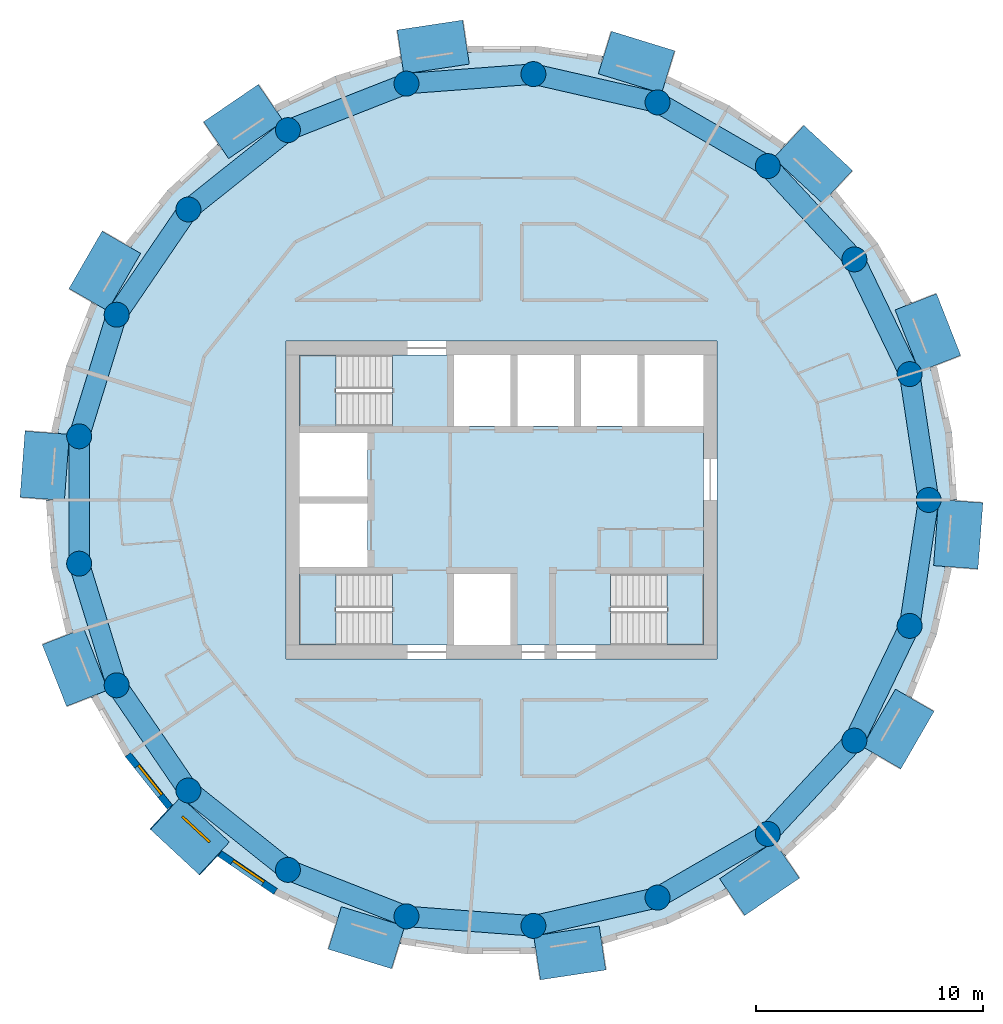
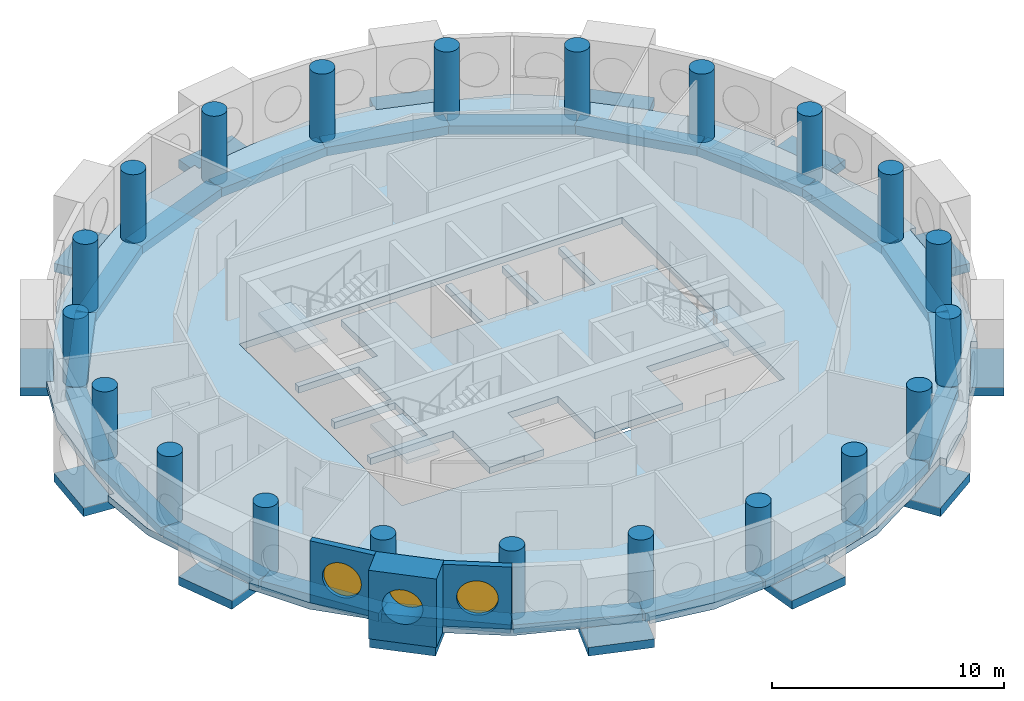
# One storey, part 1 of 12: 35 beams, 21 columns, 5 slabs, 3 walls, 3 windows, 3 openings, 3 elements without a shape of their own.
"""IFC4 building model written with IfcOpenShell, lengths in metres."""

from ifc_helpers import new_model, si_unit, direction, frame, frame_2d, origin, origin_2d, place, context, subcontext, project, spatial, polyline, rectangle, circle, outline, extrude, material, layer, layer_set, material_profile, profile_set, type_object, element, fill, aggregate, save


model = new_model("IFC4")

# Units and contexts
model_context = context("Model", 3, precision=1e-05, world=origin(), true_north=direction((0.0, 1.0)))
body_context = subcontext(model_context, "Body", "Model", "MODEL_VIEW")
ifc_project = project(units=[si_unit("LENGTHUNIT", "METRE"), si_unit("AREAUNIT", "SQUARE_METRE"), si_unit("VOLUMEUNIT", "CUBIC_METRE"), si_unit("PLANEANGLEUNIT", "RADIAN"), si_unit("MASSUNIT", "GRAM", prefix="KILO")], contexts=[model_context])

# Site, building, storey
site_placement = place(None, origin())
site = spatial("IfcSite", under=ifc_project, at=site_placement, CompositionType="ELEMENT")
building_placement = place(site_placement, origin())
building = spatial("IfcBuilding", under=site, at=building_placement, Name="Tracery Tower", CompositionType="ELEMENT")
storey_placement = place(building_placement, frame((0.0, 0.0, 234.60009765625)))
storey = spatial("IfcBuildingStorey", under=building, at=storey_placement, Name="L60", CompositionType="ELEMENT", Elevation=234.60009765625)

# Columns
ifc_material_1 = material(Name="Concrete C40/50", Category="concrete")
ifc_material_profile_1 = material_profile(ifc_material_1, circle(Radius=0.550048828125, at=origin_2d()), Name="RC D1100")
ifc_profile_set_1 = profile_set([ifc_material_profile_1], Name="Concrete C40/50")
column_type = type_object("IfcColumnType", Name="Ring 2 column 1100", PredefinedType="COLUMN", material=ifc_profile_set_1)
for number, where, z_axis, x_axis, name in (
    (1, (18.822265625, 0.0, 0.0), (0.0, 0.0, 1.0), (1.0, 0.0, 0.0), "Ring 2 column 00 at L60"),
    (2, (17.986083984375, 5.5478515625, 0.0), (0.0, 0.0, 1.0), (1.0, 0.0, 0.0), "Ring 2 column 01 at L60"),
    (3, (15.551513671875, 10.602783203125, 0.0), (0.0, 0.0, 1.0), (1.0, 0.0, 0.0), "Ring 2 column 02 at L60"),
    (4, (11.7353515625, 14.7158203125, 0.0), (0.0, 0.0, 1.0), (1.0, 0.0, 0.0), "Ring 2 column 03 at L60"),
    (5, (6.87646484375, 17.52099609375, 0.0), (0.0, 0.0, 1.0), (1.0, 0.0, 0.0), "Ring 2 column 04 at L60"),
    (6, (1.406494140625, 18.76953125, 0.0), (0.0, 0.0, 1.0), (1.0, 0.0, 0.0), "Ring 2 column 05 at L60"),
    (7, (-4.188232421875, 18.350341796875, 0.0), (0.0, 0.0, 1.0), (1.0, 0.0, 0.0), "Ring 2 column 06 at L60"),
    (8, (-9.4111328125, 16.300537109375, 0.0), (0.0, 0.0, 1.0), (1.0, 0.0, 0.0), "Ring 2 column 07 at L60"),
    (9, (-13.797607421875, 12.802490234375, 0.0), (0.0, 0.0, 1.0), (1.0, 0.0, 0.0), "Ring 2 column 08 at L60"),
    (10, (-16.958251953125, 8.16650390625, 0.0), (0.0, 0.0, 1.0), (1.0, 0.0, 0.0), "Ring 2 column 09 at L60"),
    (11, (-18.612060546875, 2.805419921875, 0.0), (0.0, 0.0, 1.0), (1.0, 0.0, 0.0), "Ring 2 column 10 at L60"),
    (12, (-18.612060546875, -2.805419921875, 0.0), (0.0, 0.0, 1.0), (1.0, 0.0, 0.0), "Ring 2 column 11 at L60"),
    (13, (-16.958251953125, -8.166748046875, 0.0), (0.0, 0.0, 1.0), (1.0, 0.0, 0.0), "Ring 2 column 12 at L60"),
    (14, (-13.797607421875, -12.80224609375, 0.0), (0.0, 0.0, 1.0), (1.0, 0.0, 0.0), "Ring 2 column 13 at L60"),
    (15, (-9.4111328125, -16.300537109375, 0.0), (0.0, 0.0, 1.0), (1.0, 0.0, 0.0), "Ring 2 column 14 at L60"),
    (16, (-4.188232421875, -18.350341796875, 0.0), (0.0, 0.0, 1.0), (1.0, 0.0, 0.0), "Ring 2 column 15 at L60"),
    (17, (1.406494140625, -18.76953125, 0.0), (0.0, 0.0, 1.0), (1.0, 0.0, 0.0), "Ring 2 column 16 at L60"),
    (18, (6.87646484375, -17.52099609375, 0.0), (0.0, 0.0, 1.0), (1.0, 0.0, 0.0), "Ring 2 column 17 at L60"),
    (19, (11.7353515625, -14.7158203125, 0.0), (0.0, 0.0, 1.0), (1.0, 0.0, 0.0), "Ring 2 column 18 at L60"),
    (20, (15.551513671875, -10.602783203125, 0.0), (0.0, 0.0, 1.0), (1.0, 0.0, 0.0), "Ring 2 column 19 at L60"),
    (21, (17.986083984375, -5.5478515625, 0.0), (0.0, 0.0, 1.0), (1.0, 0.0, 0.0), "Ring 2 column 20 at L60"),
):
    element("IfcColumn", number, at=place(storey_placement, frame(where, z_axis=z_axis, x_axis=x_axis)), inside=storey, type_object=column_type, Name=name, PredefinedType="COLUMN", context=body_context, shape_type="SweptSolid", body=[
        extrude(circle(Radius=0.550048828125, at=origin_2d()), origin(), (0.0, 0.0, 1.0), 3.599853515625),
    ])

# Beams
ifc_material_2 = material(Name="Concrete C40/50", Category="concrete")
ifc_material_profile_2 = material_profile(ifc_material_2, rectangle(XDim=1.9599609375, YDim=0.449951171875, at=origin_2d()), Name="RC 1960x450")
ifc_profile_set_2 = profile_set([ifc_material_profile_2], Name="Concrete C40/50")
beam_type_1 = type_object("IfcBeamType", Name="Bay seat beam 1960 x 450", PredefinedType="BEAM", material=ifc_profile_set_2)
for number, where, z_axis, x_axis, name in (
    (22, (19.323974609375, 6.015625, -0.5751953125), (-0.365285021376, 0.930895726254, 0.0), (-0.930895726254, -0.365285021376, 0.0), "Bay seat beam 3 at L60"),
    (23, (14.80029296875, 13.804443359375, -0.5751953125), (-0.733073344016, 0.680149595526, 0.0), (-0.680149595526, -0.733073344016, 0.0), "Bay seat beam 6 at L60"),
):
    element("IfcBeam", number, at=place(storey_placement, frame(where, z_axis=z_axis, x_axis=x_axis)), inside=storey, type_object=beam_type_1, Name=name, PredefinedType="BEAM", context=body_context, shape_type="SweptSolid", body=[
        extrude(rectangle(XDim=1.9599609375, YDim=0.449951171875, at=origin_2d()), origin(), (0.0, 0.0, 1.0), 2.920166015625),
    ])
for number, where, z_axis, x_axis, name in (
    (24, (7.344970703125, 18.85888671875, -0.5751953125), (-0.955550927928, 0.294826091343, 0.0), (-0.294826091343, -0.955550927928, 0.0), "Bay seat beam 9 at L60"),
    (25, (-1.56494140625, 20.17822265625, -0.5751953125), (-0.988824450672, -0.149084559069, 0.0), (0.149084559069, -0.988824450672, 0.0), "Bay seat beam 12 at L60"),
):
    element("IfcBeam", number, at=place(storey_placement, frame(where, z_axis=z_axis, x_axis=x_axis)), inside=storey, type_object=beam_type_1, Name=name, PredefinedType="BEAM", context=body_context, shape_type="SweptSolid", body=[
        extrude(rectangle(XDim=1.9599609375, YDim=0.449951171875, at=origin_2d()), origin(), (0.0, 0.0, 1.0), 2.919921875),
    ])
beam_1_placement = place(storey_placement, frame((-10.164794921875, 17.5009765625, -0.5751953125), z_axis=(-0.826243261144, -0.56331347704, 0.0), x_axis=(0.56331347704, -0.826243261144, 0.0)))
element("IfcBeam", 26, at=beam_1_placement, inside=storey, type_object=beam_type_1, Name="Bay seat beam 15 at L60", PredefinedType="BEAM", context=body_context, shape_type="SweptSolid", body=[
    extrude(rectangle(XDim=1.9599609375, YDim=0.449951171875, at=origin_2d()), origin(), (0.0, 0.0, 1.0), 2.920166015625),
])
for number, where, z_axis, x_axis, name in (
    (27, (-16.751708984375, 11.357421875, -0.5751953125), (-0.49998782916, -0.866032430508, 0.0), (0.866032430508, -0.49998782916, 0.0), "Bay seat beam 18 at L60"),
    (28, (-20.0205078125, 2.96435546875, -0.5751953125), (-0.074746299058, -0.997202582617, 0.0), (0.997202582617, -0.074746299058, 0.0), "Bay seat beam 21 at L60"),
):
    element("IfcBeam", number, at=place(storey_placement, frame(where, z_axis=z_axis, x_axis=x_axis)), inside=storey, type_object=beam_type_1, Name=name, PredefinedType="BEAM", context=body_context, shape_type="SweptSolid", body=[
        extrude(rectangle(XDim=1.9599609375, YDim=0.449951171875, at=origin_2d()), origin(), (0.0, 0.0, 1.0), 2.919921875),
    ])
for number, where, z_axis, x_axis, name in (
    (29, (-19.323974609375, -6.015625, -0.5751953125), (0.365285021376, -0.930895726254, 0.0), (0.930895726254, 0.365285021376, 0.0), "Bay seat beam 24 at L60"),
    (30, (-14.80029296875, -13.804443359375, -0.5751953125), (0.733073344016, -0.680149595526, 0.0), (0.680149595526, 0.733073344016, 0.0), "Bay seat beam 27 at L60"),
):
    element("IfcBeam", number, at=place(storey_placement, frame(where, z_axis=z_axis, x_axis=x_axis)), inside=storey, type_object=beam_type_1, Name=name, PredefinedType="BEAM", context=body_context, shape_type="SweptSolid", body=[
        extrude(rectangle(XDim=1.9599609375, YDim=0.449951171875, at=origin_2d()), origin(), (0.0, 0.0, 1.0), 2.920166015625),
    ])
for number, where, z_axis, x_axis, name in (
    (31, (-7.344970703125, -18.85888671875, -0.5751953125), (0.955550927928, -0.294826091343, 0.0), (0.294826091343, 0.955550927928, 0.0), "Bay seat beam 30 at L60"),
    (32, (1.56494140625, -20.17822265625, -0.5751953125), (0.988824450672, 0.149084559069, 0.0), (-0.149084559069, 0.988824450672, 0.0), "Bay seat beam 33 at L60"),
):
    element("IfcBeam", number, at=place(storey_placement, frame(where, z_axis=z_axis, x_axis=x_axis)), inside=storey, type_object=beam_type_1, Name=name, PredefinedType="BEAM", context=body_context, shape_type="SweptSolid", body=[
        extrude(rectangle(XDim=1.9599609375, YDim=0.449951171875, at=origin_2d()), origin(), (0.0, 0.0, 1.0), 2.919921875),
    ])
beam_2_placement = place(storey_placement, frame((10.164794921875, -17.5009765625, -0.5751953125), z_axis=(0.826243261144, 0.56331347704, 0.0), x_axis=(-0.56331347704, 0.826243261144, 0.0)))
element("IfcBeam", 33, at=beam_2_placement, inside=storey, type_object=beam_type_1, Name="Bay seat beam 36 at L60", PredefinedType="BEAM", context=body_context, shape_type="SweptSolid", body=[
    extrude(rectangle(XDim=1.9599609375, YDim=0.449951171875, at=origin_2d()), origin(), (0.0, 0.0, 1.0), 2.920166015625),
])
for number, where, z_axis, x_axis, name in (
    (34, (16.751708984375, -11.357421875, -0.5751953125), (0.49998782916, 0.866032430508, 0.0), (-0.866032430508, 0.49998782916, 0.0), "Bay seat beam 39 at L60"),
    (35, (20.0205078125, -2.96435546875, -0.5751953125), (0.074746299058, 0.997202582617, 0.0), (-0.997202582617, 0.074746299058, 0.0), "Bay seat beam 42 at L60"),
):
    element("IfcBeam", number, at=place(storey_placement, frame(where, z_axis=z_axis, x_axis=x_axis)), inside=storey, type_object=beam_type_1, Name=name, PredefinedType="BEAM", context=body_context, shape_type="SweptSolid", body=[
        extrude(rectangle(XDim=1.9599609375, YDim=0.449951171875, at=origin_2d()), origin(), (0.0, 0.0, 1.0), 2.919921875),
    ])
ifc_material_3 = material(Name="Concrete C40/50", Category="concrete")
ifc_material_profile_3 = material_profile(ifc_material_3, rectangle(XDim=0.89990234375, YDim=0.449951171875, at=origin_2d()), Name="RC 900x450")
ifc_profile_set_3 = profile_set([ifc_material_profile_3], Name="Concrete C40/50")
beam_type_2 = type_object("IfcBeamType", Name="Perimeter band beam 900x450", PredefinedType="BEAM", material=ifc_profile_set_3)
for number, where, z_axis, x_axis, name in (
    (36, (18.822265625, 0.0, -0.5751953125), (-0.149038355855, 0.988831415603, 0.0), (-0.988831415603, -0.149038355855, 0.0), "Perimeter beam 2.00 under L60"),
    (37, (17.986083984375, 5.5478515625, -0.5751953125), (-0.433918973155, 0.900951899235, 0.0), (-0.900951899235, -0.433918973155, 0.0), "Perimeter beam 2.01 under L60"),
):
    element("IfcBeam", number, at=place(storey_placement, frame(where, z_axis=z_axis, x_axis=x_axis)), inside=storey, type_object=beam_type_2, Name=name, PredefinedType="BEAM", context=body_context, shape_type="SweptSolid", body=[
        extrude(rectangle(XDim=0.89990234375, YDim=0.449951171875, at=origin_2d()), origin(), (0.0, 0.0, 1.0), 5.610595703125),
    ])
beam_3_placement = place(storey_placement, frame((15.551513671875, 10.602783203125, -0.5751953125), z_axis=(-0.680155630824, 0.733067744386, 0.0), x_axis=(-0.733067744386, -0.680155630824, 0.0)))
element("IfcBeam", 38, at=beam_3_placement, inside=storey, type_object=beam_type_2, Name="Perimeter beam 2.02 under L60", PredefinedType="BEAM", context=body_context, shape_type="SweptSolid", body=[
    extrude(rectangle(XDim=0.89990234375, YDim=0.449951171875, at=origin_2d()), origin(), (0.0, 0.0, 1.0), 5.61083984375),
])
for number, where, z_axis, x_axis, name in (
    (39, (11.7353515625, 14.7158203125, -0.5751953125), (-0.866033412818, 0.49998612769, 0.0), (-0.49998612769, -0.866033412818, 0.0), "Perimeter beam 2.03 under L60"),
    (40, (6.87646484375, 17.52099609375, -0.5751953125), (-0.974925977366, 0.222529410768, 0.0), (-0.222529410768, -0.974925977366, 0.0), "Perimeter beam 2.04 under L60"),
):
    element("IfcBeam", number, at=place(storey_placement, frame(where, z_axis=z_axis, x_axis=x_axis)), inside=storey, type_object=beam_type_2, Name=name, PredefinedType="BEAM", context=body_context, shape_type="SweptSolid", body=[
        extrude(rectangle(XDim=0.89990234375, YDim=0.449951171875, at=origin_2d()), origin(), (0.0, 0.0, 1.0), 5.610595703125),
    ])
beam_4_placement = place(storey_placement, frame((1.406494140625, 18.76953125, -0.5751953125), z_axis=(-0.997204824387, -0.07471638521, 0.0), x_axis=(0.07471638521, -0.997204824387, 0.0)))
element("IfcBeam", 41, at=beam_4_placement, inside=storey, type_object=beam_type_2, Name="Perimeter beam 2.05 under L60", PredefinedType="BEAM", context=body_context, shape_type="SweptSolid", body=[
    extrude(rectangle(XDim=0.89990234375, YDim=0.449951171875, at=origin_2d()), origin(), (0.0, 0.0, 1.0), 5.6103515625),
])
beam_5_placement = place(storey_placement, frame((-4.188232421875, 18.350341796875, -0.5751953125), z_axis=(-0.930875728468, -0.365335979817, 0.0), x_axis=(0.365335979817, -0.930875728468, 0.0)))
element("IfcBeam", 42, at=beam_5_placement, inside=storey, type_object=beam_type_2, Name="Perimeter beam 2.06 under L60", PredefinedType="BEAM", context=body_context, shape_type="SweptSolid", body=[
    extrude(rectangle(XDim=0.89990234375, YDim=0.449951171875, at=origin_2d()), origin(), (0.0, 0.0, 1.0), 5.61083984375),
])
beam_6_placement = place(storey_placement, frame((-9.4111328125, 16.300537109375, -0.5751953125), z_axis=(-0.781835817725, -0.623484365579, 0.0), x_axis=(0.623484365579, -0.781835817725, 0.0)))
element("IfcBeam", 43, at=beam_6_placement, inside=storey, type_object=beam_type_2, Name="Perimeter beam 2.07 under L60", PredefinedType="BEAM", context=body_context, shape_type="SweptSolid", body=[
    extrude(rectangle(XDim=0.89990234375, YDim=0.449951171875, at=origin_2d()), origin(), (0.0, 0.0, 1.0), 5.610595703125),
])
beam_7_placement = place(storey_placement, frame((-13.797607421875, 12.802490234375, -0.5751953125), z_axis=(-0.563305770578, -0.826248515178, 0.0), x_axis=(0.826248515178, -0.563305770578, 0.0)))
element("IfcBeam", 44, at=beam_7_placement, inside=storey, type_object=beam_type_2, Name="Perimeter beam 2.08 under L60", PredefinedType="BEAM", context=body_context, shape_type="SweptSolid", body=[
    extrude(rectangle(XDim=0.89990234375, YDim=0.449951171875, at=origin_2d()), origin(), (0.0, 0.0, 1.0), 5.61083984375),
])
beam_8_placement = place(storey_placement, frame((-16.958251953125, 8.16650390625, -0.5751953125), z_axis=(-0.294776851839, -0.955566118916, 0.0), x_axis=(0.955566118916, -0.294776851839, 0.0)))
element("IfcBeam", 45, at=beam_8_placement, inside=storey, type_object=beam_type_2, Name="Perimeter beam 2.09 under L60", PredefinedType="BEAM", context=body_context, shape_type="SweptSolid", body=[
    extrude(rectangle(XDim=0.89990234375, YDim=0.449951171875, at=origin_2d()), origin(), (0.0, 0.0, 1.0), 5.6103515625),
])
beam_9_placement = place(storey_placement, frame((-18.612060546875, 2.805419921875, -0.5751953125), z_axis=(0.0, -1.0, 0.0), x_axis=(1.0, 0.0, 0.0)))
element("IfcBeam", 46, at=beam_9_placement, inside=storey, type_object=beam_type_2, Name="Perimeter beam 2.10 under L60", PredefinedType="BEAM", context=body_context, shape_type="SweptSolid", body=[
    extrude(rectangle(XDim=0.89990234375, YDim=0.449951171875, at=origin_2d()), origin(), (0.0, 0.0, 1.0), 5.61083984375),
])
for number, where, z_axis, x_axis, name in (
    (47, (-18.612060546875, -2.805419921875, -0.5751953125), (0.294764594813, -0.955569899926, 0.0), (0.955569899926, 0.294764594813, 0.0), "Perimeter beam 2.11 under L60"),
    (48, (-16.958251953125, -8.166748046875, -0.5751953125), (0.5633462764, -0.826220898348, 0.0), (0.826220898348, 0.5633462764, 0.0), "Perimeter beam 2.12 under L60"),
    (49, (-13.797607421875, -12.80224609375, -0.5751953125), (0.781814605872, -0.623510963853, 0.0), (0.623510963853, 0.781814605872, 0.0), "Perimeter beam 2.13 under L60"),
):
    element("IfcBeam", number, at=place(storey_placement, frame(where, z_axis=z_axis, x_axis=x_axis)), inside=storey, type_object=beam_type_2, Name=name, PredefinedType="BEAM", context=body_context, shape_type="SweptSolid", body=[
        extrude(rectangle(XDim=0.89990234375, YDim=0.449951171875, at=origin_2d()), origin(), (0.0, 0.0, 1.0), 5.610595703125),
    ])
beam_10_placement = place(storey_placement, frame((-9.4111328125, -16.300537109375, -0.5751953125), z_axis=(0.930875728468, -0.365335979817, 0.0), x_axis=(0.365335979817, 0.930875728468, 0.0)))
element("IfcBeam", 50, at=beam_10_placement, inside=storey, type_object=beam_type_2, Name="Perimeter beam 2.14 under L60", PredefinedType="BEAM", context=body_context, shape_type="SweptSolid", body=[
    extrude(rectangle(XDim=0.89990234375, YDim=0.449951171875, at=origin_2d()), origin(), (0.0, 0.0, 1.0), 5.61083984375),
])
beam_11_placement = place(storey_placement, frame((-4.188232421875, -18.350341796875, -0.5751953125), z_axis=(0.997204824387, -0.07471638521, 0.0), x_axis=(0.07471638521, 0.997204824387, 0.0)))
element("IfcBeam", 51, at=beam_11_placement, inside=storey, type_object=beam_type_2, Name="Perimeter beam 2.15 under L60", PredefinedType="BEAM", context=body_context, shape_type="SweptSolid", body=[
    extrude(rectangle(XDim=0.89990234375, YDim=0.449951171875, at=origin_2d()), origin(), (0.0, 0.0, 1.0), 5.6103515625),
])
for number, where, z_axis, x_axis, name in (
    (52, (1.406494140625, -18.76953125, -0.5751953125), (0.974925977366, 0.222529410768, 0.0), (-0.222529410768, 0.974925977366, 0.0), "Perimeter beam 2.16 under L60"),
    (53, (6.87646484375, -17.52099609375, -0.5751953125), (0.866033412818, 0.49998612769, 0.0), (-0.49998612769, 0.866033412818, 0.0), "Perimeter beam 2.17 under L60"),
):
    element("IfcBeam", number, at=place(storey_placement, frame(where, z_axis=z_axis, x_axis=x_axis)), inside=storey, type_object=beam_type_2, Name=name, PredefinedType="BEAM", context=body_context, shape_type="SweptSolid", body=[
        extrude(rectangle(XDim=0.89990234375, YDim=0.449951171875, at=origin_2d()), origin(), (0.0, 0.0, 1.0), 5.610595703125),
    ])
beam_12_placement = place(storey_placement, frame((11.7353515625, -14.7158203125, -0.5751953125), z_axis=(0.680155630824, 0.733067744386, 0.0), x_axis=(-0.733067744386, 0.680155630824, 0.0)))
element("IfcBeam", 54, at=beam_12_placement, inside=storey, type_object=beam_type_2, Name="Perimeter beam 2.18 under L60", PredefinedType="BEAM", context=body_context, shape_type="SweptSolid", body=[
    extrude(rectangle(XDim=0.89990234375, YDim=0.449951171875, at=origin_2d()), origin(), (0.0, 0.0, 1.0), 5.61083984375),
])
for number, where, z_axis, x_axis, name in (
    (55, (15.551513671875, -10.602783203125, -0.5751953125), (0.433918973155, 0.900951899235, 0.0), (-0.900951899235, 0.433918973155, 0.0), "Perimeter beam 2.19 under L60"),
    (56, (17.986083984375, -5.5478515625, -0.5751953125), (0.149038355855, 0.988831415603, 0.0), (-0.988831415603, 0.149038355855, 0.0), "Perimeter beam 2.20 under L60"),
):
    element("IfcBeam", number, at=place(storey_placement, frame(where, z_axis=z_axis, x_axis=x_axis)), inside=storey, type_object=beam_type_2, Name=name, PredefinedType="BEAM", context=body_context, shape_type="SweptSolid", body=[
        extrude(rectangle(XDim=0.89990234375, YDim=0.449951171875, at=origin_2d()), origin(), (0.0, 0.0, 1.0), 5.610595703125),
    ])

# Slabs
ifc_material_4 = material(Name="Concrete C40/50", Category="concrete")
ifc_layer_1 = layer(ifc_material_4, 0.35009765625)
ifc_layer_set_1 = layer_set([ifc_layer_1], Name="Core floor slab 350 C40")
slab_type_1 = type_object("IfcSlabType", Name="Core floor slab 350 C40", PredefinedType="FLOOR", material=ifc_layer_set_1)
slab_1_placement = place(storey_placement, frame((0.0, 0.0, -0.35009765625)))
element("IfcSlab", 57, at=slab_1_placement, inside=storey, type_object=slab_type_1, Name="L60 core floor 1", PredefinedType="FLOOR", context=body_context, shape_type="SweptSolid", body=[
    extrude(outline(polyline([(-4.800537109375, -3.25), (-8.89990234375, -3.25), (-8.89990234375, -2.949951171875), (-5.89990234375, -2.949951171875), (-5.89990234375, -0.14990234375), (-8.89990234375, -0.14990234375), (-8.89990234375, 0.14990234375), (-5.89990234375, 0.14990234375), (-5.89990234375, 2.949951171875), (-8.89990234375, 2.949951171875), (-8.89990234375, 3.25), (-4.800537109375, 3.25), (-4.800537109375, 6.39990234375), (-2.10009765625, 6.39990234375), (-2.10009765625, 3.25), (0.39990234375, 3.25), (0.39990234375, 6.39990234375), (0.699951171875, 6.39990234375), (0.699951171875, 3.25), (3.199951171875, 3.25), (3.199951171875, 6.39990234375), (3.5, 6.39990234375), (3.5, 3.25), (6.0, 3.25), (6.0, 6.39990234375), (6.300048828125, 6.39990234375), (6.300048828125, 3.25), (8.89990234375, 3.25), (8.89990234375, -3.25), (4.800537109375, -3.25), (4.800537109375, -6.39990234375), (0.39990234375, -6.39990234375), (0.39990234375, -3.25), (-2.10009765625, -3.25), (-2.10009765625, -6.39990234375), (-4.800537109375, -6.39990234375), (-4.800537109375, -3.25)])), origin(), (0.0, 0.0, 1.0), 0.35009765625),
])
ifc_material_5 = material(Name="Concrete C40/50", Category="concrete")
ifc_layer_2 = layer(ifc_material_5, 0.35009765625)
ifc_layer_set_2 = layer_set([ifc_layer_2], Name="Floor slab 350")
slab_type_2 = type_object("IfcSlabType", Name="Floor slab 350", PredefinedType="FLOOR", material=ifc_layer_set_2)
slab_2_placement = place(storey_placement, frame((0.0, 0.0, -0.35009765625)))
element("IfcSlab", 58, at=slab_2_placement, inside=storey, type_object=slab_type_2, Name="Floor slab L60", PredefinedType="FLOOR", context=body_context, shape_type="SweptSolid", body=[
    extrude(outline(polyline([(18.89306640625, 5.827392578125), (17.80517578125, 8.599365234375), (18.084228515625, 8.708984375), (18.08447265625, 8.708984375), (16.58447265625, 11.30712890625), (14.493408203125, 13.447998046875), (12.3271484375, 15.4580078125), (12.3271484375, 15.4580078125), (12.310791015625, 15.47314453125), (12.5146484375, 15.69287109375), (12.514892578125, 15.693115234375), (10.0361328125, 17.383056640625), (7.223388671875, 18.404541015625), (4.3994140625, 19.275634765625), (4.3994140625, 19.275634765625), (4.378173828125, 19.2822265625), (4.466552734375, 19.56884765625), (1.5, 20.01611328125), (-1.47705078125, 19.716064453125), (-2.3466796875, 19.585205078125), (-4.3994140625, 19.275634765625), (-4.3994140625, 19.275634765625), (-4.421875, 19.272216796875), (-4.46630859375, 19.568603515625), (-4.466552734375, 19.56884765625), (-7.333251953125, 18.684814453125), (-9.885498046875, 17.12255859375), (-12.345703125, 15.4453125), (-12.514892578125, 15.693115234375), (-14.714111328125, 13.652587890625), (-16.335693359375, 11.13818359375), (-17.82470703125, 8.55908203125), (-18.08447265625, 8.708984375), (-19.180419921875, 5.91650390625), (-19.550537109375, 2.94677734375), (-19.63720703125, 1.789306640625), (-19.77294921875, -0.0224609375), (-20.072265625, 0.0), (-20.072265625, 0.0), (-19.847900390625, -2.99169921875), (-18.89306640625, -5.827392578125), (-17.80517578125, -8.599365234375), (-18.084228515625, -8.708984375), (-18.08447265625, -8.708984375), (-16.58447265625, -11.30712890625), (-14.493408203125, -13.447998046875), (-12.3271484375, -15.4580078125), (-12.3271484375, -15.4580078125), (-12.310791015625, -15.47314453125), (-12.5146484375, -15.69287109375), (-12.514892578125, -15.693115234375), (-10.0361328125, -17.383056640625), (-7.223388671875, -18.404541015625), (-4.3994140625, -19.275634765625), (-4.3994140625, -19.275634765625), (-4.378173828125, -19.2822265625), (-4.466552734375, -19.56884765625), (-1.5, -20.01611328125), (1.47705078125, -19.716064453125), (2.3466796875, -19.585205078125), (4.3994140625, -19.275634765625), (4.3994140625, -19.275634765625), (4.421875, -19.272216796875), (4.46630859375, -19.568603515625), (4.466552734375, -19.56884765625), (7.333251953125, -18.684814453125), (9.885498046875, -17.12255859375), (12.345703125, -15.4453125), (12.514892578125, -15.693115234375), (14.714111328125, -13.652587890625), (16.335693359375, -11.13818359375), (17.82470703125, -8.55908203125), (18.08447265625, -8.708984375), (19.180419921875, -5.91650390625), (19.550537109375, -2.94677734375), (19.63720703125, -1.789306640625), (19.77294921875, 0.0224609375), (20.072265625, 0.0), (19.847900390625, 2.99169921875), (18.89306640625, 5.827392578125)]), holes=[polyline([(-9.5, -7.0), (9.5, -7.0), (9.5, 7.0), (-9.5, 7.0), (-9.5, -7.0)])]), origin(), (0.0, 0.0, 1.0), 0.35009765625),
])

# Stair, slab
ifc_material_6 = material(Name="Concrete C32/40", Category="concrete")
stair_type = type_object("IfcStairType", Name="Core stair 22 risers", PredefinedType="HALF_TURN_STAIR", material=ifc_material_6)
stair_1_placement = place(storey_placement, origin())
stair_1 = element("IfcStair", 59, at=stair_1_placement, inside=storey, type_object=stair_type, Name="L60 stair ST1", PredefinedType="HALF_TURN_STAIR")
ifc_material_7 = material(Name="Concrete C32/40", Category="concrete")
ifc_layer_3 = layer(ifc_material_7, 0.199951171875)
ifc_layer_set_3 = layer_set([ifc_layer_3], Name="Stair landing slab 200")
slab_type_3 = type_object("IfcSlabType", Name="Stair landing slab 200", PredefinedType="LANDING", material=ifc_layer_set_3)
slab_3_placement = place(storey_placement, frame((0.0, 0.0, 1.599853515625)))
slab_3 = element("IfcSlab", 60, at=slab_3_placement, type_object=slab_type_3, Name="ST1 landing 1", PredefinedType="LANDING", context=body_context, shape_type="SweptSolid", body=[
    extrude(outline(polyline([(-7.29931640625, -3.25), (-8.89990234375, -3.25), (-8.89990234375, -6.39990234375), (-7.29931640625, -6.39990234375), (-7.29931640625, -3.25)])), origin(), (0.0, 0.0, 1.0), 0.199951171875),
])
aggregate(stair_1, [slab_3])

stair_2_placement = place(storey_placement, origin())
stair_2 = element("IfcStair", 61, at=stair_2_placement, inside=storey, type_object=stair_type, Name="L60 stair ST3", PredefinedType="HALF_TURN_STAIR")
slab_4_placement = place(storey_placement, frame((0.0, 0.0, 1.599853515625)))
slab_4 = element("IfcSlab", 62, at=slab_4_placement, type_object=slab_type_3, Name="ST3 landing 1", PredefinedType="LANDING", context=body_context, shape_type="SweptSolid", body=[
    extrude(outline(polyline([(-7.29931640625, 6.39990234375), (-8.89990234375, 6.39990234375), (-8.89990234375, 3.25), (-7.29931640625, 3.25), (-7.29931640625, 6.39990234375)])), origin(), (0.0, 0.0, 1.0), 0.199951171875),
])
aggregate(stair_2, [slab_4])

stair_3_placement = place(storey_placement, origin())
stair_3 = element("IfcStair", 63, at=stair_3_placement, inside=storey, type_object=stair_type, Name="L60 stair ST2", PredefinedType="HALF_TURN_STAIR")
slab_5_placement = place(storey_placement, frame((0.0, 0.0, 1.599853515625)))
slab_5 = element("IfcSlab", 64, at=slab_5_placement, type_object=slab_type_3, Name="ST2 landing 1", PredefinedType="LANDING", context=body_context, shape_type="SweptSolid", body=[
    extrude(outline(polyline([(7.29931640625, -6.39990234375), (8.89990234375, -6.39990234375), (8.89990234375, -3.25), (7.29931640625, -3.25), (7.29931640625, -6.39990234375)])), origin(), (0.0, 0.0, 1.0), 0.199951171875),
])
aggregate(stair_3, [slab_5])

# Wall, opening, window
ifc_material_8 = material(Name="Precast concrete C50/60", Category="concrete")
ifc_layer_4 = layer(ifc_material_8, 1.449951171875)
ifc_layer_set_4 = layer_set([ifc_layer_4], Name="Deep-set bay unit 3000 x 3600, slab edge 350")
wall_type_1 = type_object("IfcWallType", Name="Deep-set bay unit 3000 x 3600, slab edge 350", PredefinedType="ELEMENTEDWALL", material=ifc_layer_set_4)
wall_1_placement = place(storey_placement, frame((-15.0029296875, -13.964111328125, -0.35009765625), z_axis=(0.0, 0.0, 1.0), x_axis=(0.733022439167, -0.680204457261, 0.0)))
wall_1 = element("IfcWall", 65, at=wall_1_placement, inside=storey, type_object=wall_type_1, Name="Deep-set bay unit 27 at L60", PredefinedType="ELEMENTEDWALL", context=body_context, shape_type="SweptSolid", body=[
    extrude(rectangle(XDim=2.999755859375, YDim=1.449951171875, at=frame_2d((1.5, 0.0))), origin(), (0.0, 0.0, 1.0), 3.60009765625),
])
opening_1_placement = place(wall_1_placement, frame((1.5, 0.0, 1.89990234375)))
opening_1 = element("IfcOpeningElement", 66, at=opening_1_placement, cuts=wall_1, Name="Opening WN1", PredefinedType="OPENING", context=body_context, shape_type="SweptSolid", body=[
    extrude(circle(Radius=0.9000244140625, at=origin_2d()), frame((0.0, 0.73486328125, 0.0), z_axis=(0.0, -1.0, 0.0), x_axis=(1.0, 0.0, 0.0)), (0.0, 0.0, 1.0), 1.469970703125),
])
ifc_material_9 = material(Name="Aluminium frame with tinted double glazing", Category="aluminium")
window_type = type_object("IfcWindowType", Name="Round window 1800", PartitioningType="SINGLE_PANEL", PredefinedType="WINDOW", material=ifc_material_9)
window_1_placement = place(opening_1_placement, origin())
window_1 = element("IfcWindow", 67, at=window_1_placement, inside=storey, type_object=window_type, Name="Round window 27 at L60", OverallHeight=1.800048828125, OverallWidth=1.800048828125, PartitioningType="SINGLE_PANEL", PredefinedType="WINDOW", context=body_context, shape_type="SweptSolid", body=[
    extrude(circle(Radius=0.9000244140625, at=origin_2d()), frame((0.0, 0.69482421875, 0.0), z_axis=(0.0, -1.0, 0.0), x_axis=(1.0, 0.0, 0.0)), (0.0, 0.0, 1.0), 0.10009765625),
])
fill(opening_1, window_1)

ifc_material_10 = material(Name="Precast concrete C50/60", Category="concrete")
ifc_layer_5 = layer(ifc_material_10, 0.300048828125)
ifc_layer_set_5 = layer_set([ifc_layer_5], Name="Facade panel 3000 x 3250")
wall_type_2 = type_object("IfcWallType", Name="Facade panel 3000 x 3250", PredefinedType="SOLIDWALL", material=ifc_layer_set_5)
wall_2_placement = place(storey_placement, frame((-16.460205078125, -11.222412109375, 0.0), z_axis=(0.0, 0.0, 1.0), x_axis=(0.623498236992, -0.781824755599, 0.0)))
wall_2 = element("IfcWall", 68, at=wall_2_placement, inside=storey, type_object=wall_type_2, Name="Facade panel 26 at L60", PredefinedType="SOLIDWALL", context=body_context, shape_type="SweptSolid", body=[
    extrude(rectangle(XDim=2.962158203125, YDim=0.300048828125, at=frame_2d((1.48095703125, 0.0))), origin(), (0.0, 0.0, 1.0), 3.25),
])
opening_2_placement = place(wall_2_placement, frame((1.48095703125, 0.0, 1.5498046875)))
opening_2 = element("IfcOpeningElement", 69, at=opening_2_placement, cuts=wall_2, Name="Opening WN1", PredefinedType="OPENING", context=body_context, shape_type="SweptSolid", body=[
    extrude(circle(Radius=0.9000244140625, at=origin_2d()), frame((0.0, 0.159912109375, 0.0), z_axis=(0.0, -1.0, 0.0), x_axis=(1.0, 0.0, 0.0)), (0.0, 0.0, 1.0), 0.320068359375),
])
window_2_placement = place(opening_2_placement, origin())
window_2 = element("IfcWindow", 70, at=window_2_placement, inside=storey, type_object=window_type, Name="Round window 26 at L60", OverallHeight=1.800048828125, OverallWidth=1.800048828125, PartitioningType="SINGLE_PANEL", PredefinedType="WINDOW", context=body_context, shape_type="SweptSolid", body=[
    extrude(circle(Radius=0.9000244140625, at=origin_2d()), frame((0.0, 0.1201171875, 0.0), z_axis=(0.0, -1.0, 0.0), x_axis=(1.0, 0.0, 0.0)), (0.0, 0.0, 1.0), 0.10009765625),
])
fill(opening_2, window_2)

wall_3_placement = place(storey_placement, frame((-12.408447265625, -15.583984375, 0.0), z_axis=(0.0, 0.0, 1.0), x_axis=(0.826236061068, -0.563324037646, 0.0)))
wall_3 = element("IfcWall", 71, at=wall_3_placement, inside=storey, type_object=wall_type_2, Name="Facade panel 28 at L60", PredefinedType="SOLIDWALL", context=body_context, shape_type="SweptSolid", body=[
    extrude(rectangle(XDim=2.962158203125, YDim=0.300048828125, at=frame_2d((1.48095703125, 0.0))), origin(), (0.0, 0.0, 1.0), 3.25),
])
opening_3_placement = place(wall_3_placement, frame((1.48095703125, 0.0, 1.5498046875)))
opening_3 = element("IfcOpeningElement", 72, at=opening_3_placement, cuts=wall_3, Name="Opening WN1", PredefinedType="OPENING", context=body_context, shape_type="SweptSolid", body=[
    extrude(circle(Radius=0.9000244140625, at=origin_2d()), frame((0.0, 0.159912109375, 0.0), z_axis=(0.0, -1.0, 0.0), x_axis=(1.0, 0.0, 0.0)), (0.0, 0.0, 1.0), 0.320068359375),
])
window_3_placement = place(opening_3_placement, origin())
window_3 = element("IfcWindow", 73, at=window_3_placement, inside=storey, type_object=window_type, Name="Round window 28 at L60", OverallHeight=1.800048828125, OverallWidth=1.800048828125, PartitioningType="SINGLE_PANEL", PredefinedType="WINDOW", context=body_context, shape_type="SweptSolid", body=[
    extrude(circle(Radius=0.9000244140625, at=origin_2d()), frame((0.0, 0.1201171875, 0.0), z_axis=(0.0, -1.0, 0.0), x_axis=(1.0, 0.0, 0.0)), (0.0, 0.0, 1.0), 0.10009765625),
])
fill(opening_3, window_3)

save(model, "model.ifc")
